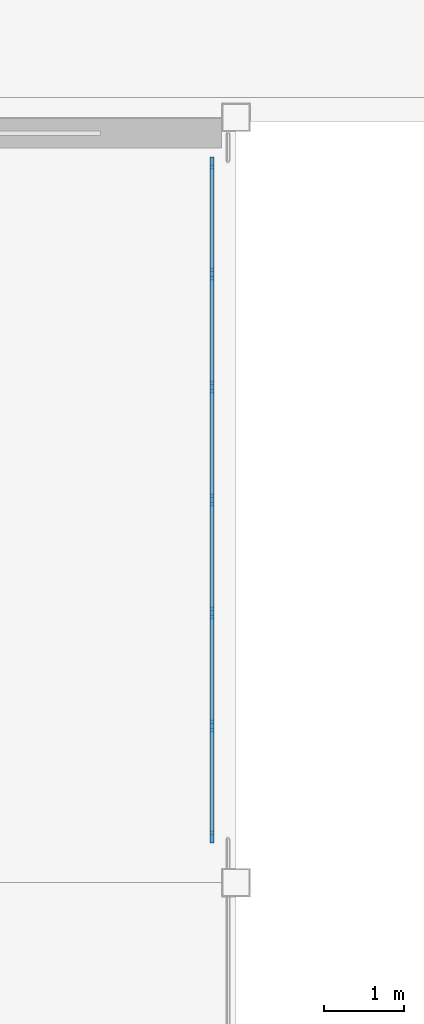
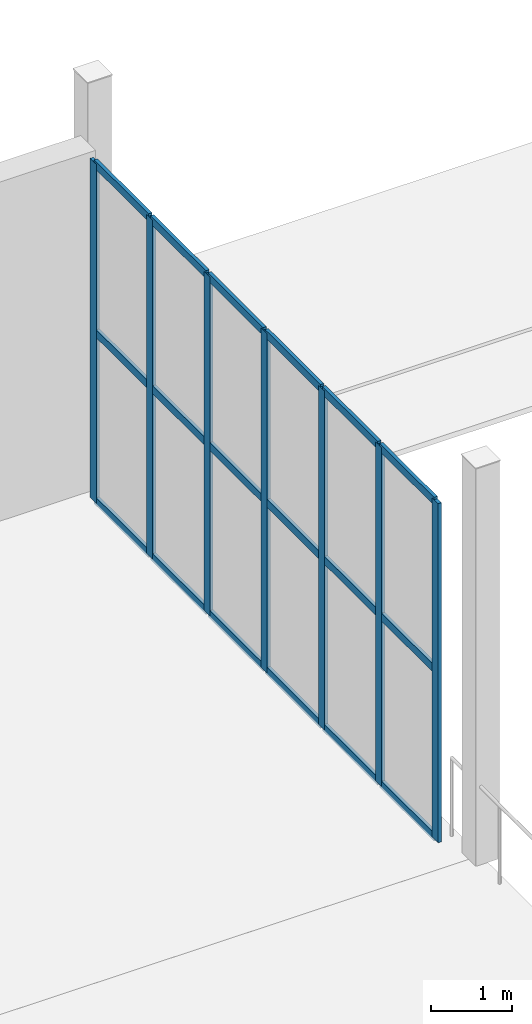
# One storey, part 67 of 139: 25 members, 1 element without a shape of its own.
"""IFC4 building model written with IfcOpenShell, lengths in metres."""

import ifcopenshell
import ifcopenshell.guid

model = None  # the IFC model being written
_history = None  # IfcOwnerHistory: only IFC2X3 demands one
_inside = {}  # id of a spatial element -> (the spatial element, [elements in it])
_under = {}  # id of a project, library or spatial element -> (it, [spatial elements below it])
_declared = {}  # id of a project -> (the project, [libraries it declares])
_typed = {}  # id of a type object -> (the type object, [elements of that type])
_made_of = {}  # id of a material, layer set ... -> (it, [elements and type objects made of it])


def new_model(schema):
    """Start an empty IFC model of exactly this schema.

    Asked for "IFC4X3", IfcOpenShell would pick the latest addendum, in which some entities
    have other attributes; the version numbers below select the first issue.
    IFC2X3 requires an IfcOwnerHistory on every rooted entity: one is made here for all.
    """
    global model, _history
    if schema == "IFC4X3":
        model = ifcopenshell.file(schema_version=(4, 3, 0, 0))
    else:
        model = ifcopenshell.file(schema=schema)
    _inside.clear()
    _under.clear()
    _declared.clear()
    _typed.clear()
    _made_of.clear()
    _history = None
    if model.schema == "IFC2X3":
        org = make("IfcOrganization", Name="unknown")
        user = make(
            "IfcPersonAndOrganization",
            ThePerson=make("IfcPerson", FamilyName="unknown"),
            TheOrganization=org,
        )
        app = make(
            "IfcApplication",
            ApplicationDeveloper=org,
            Version="unknown",
            ApplicationFullName="unknown",
            ApplicationIdentifier="unknown",
        )
        _history = make(
            "IfcOwnerHistory",
            OwningUser=user,
            OwningApplication=app,
            ChangeAction="ADDED",
            CreationDate=0,
        )
    return model


def make(cls, **values):
    """One entity of the class cls with the attributes given. An attribute that is None is left unset."""
    return model.create_entity(
        cls, **{name: value for name, value in values.items() if value is not None}
    )


def rooted(cls, **values):
    """An entity with a GlobalId (a new one), such as an element, a storey or a relation."""
    return make(cls, GlobalId=ifcopenshell.guid.new(), OwnerHistory=_history, **values)


def si_unit(unit_type, name, prefix=None):
    """IfcSIUnit, for example si_unit("LENGTHUNIT", "METRE", prefix="MILLI")."""
    return make("IfcSIUnit", UnitType=unit_type, Prefix=prefix, Name=name)


def assignment(units):
    """IfcUnitAssignment: the units of a project."""
    return None if units is None else make("IfcUnitAssignment", Units=units)


def point(xyz):
    """IfcCartesianPoint."""
    return None if xyz is None else make("IfcCartesianPoint", Coordinates=xyz)


def direction(xyz):
    """IfcDirection."""
    return None if xyz is None else make("IfcDirection", DirectionRatios=xyz)


def frame(location, z_axis=None, x_axis=None):
    """IfcAxis2Placement3D, a coordinate frame: its origin and axes. An axis left out is left unset."""
    return make(
        "IfcAxis2Placement3D",
        Location=point(location),
        Axis=direction(z_axis),
        RefDirection=direction(x_axis),
    )


def frame_2d(location, x_axis=None):
    """IfcAxis2Placement2D, a coordinate frame in the plane: its origin and x axis."""
    return make(
        "IfcAxis2Placement2D", Location=point(location), RefDirection=direction(x_axis)
    )


def origin():
    """The frame at (0, 0, 0) with its axes left unset."""
    return frame((0.0, 0.0, 0.0))


def origin_2d():
    """The frame at (0, 0) in the plane with its x axis left unset."""
    return frame_2d((0.0, 0.0))


def place(relative_to, where):
    """IfcLocalPlacement: puts the frame where relative to a parent placement (None: the world)."""
    return make(
        "IfcLocalPlacement", PlacementRelTo=relative_to, RelativePlacement=where
    )


def context(
    kind, dimensions, precision=None, world=None, true_north=None, identifier=None
):
    """IfcGeometricRepresentationContext, for example the 3D "Model" context."""
    return make(
        "IfcGeometricRepresentationContext",
        ContextIdentifier=identifier,
        ContextType=kind,
        CoordinateSpaceDimension=dimensions,
        Precision=precision,
        WorldCoordinateSystem=world,
        TrueNorth=true_north,
    )


def subcontext(parent, identifier, kind, view, scale=None):
    """IfcGeometricRepresentationSubContext, for example "Body" below "Model"."""
    return make(
        "IfcGeometricRepresentationSubContext",
        ContextIdentifier=identifier,
        ContextType=kind,
        ParentContext=parent,
        TargetScale=scale,
        TargetView=view,
    )


def project(units=None, contexts=None):
    """IfcProject with its units and contexts."""
    return rooted(
        "IfcProject",
        Name="project",
        RepresentationContexts=contexts,
        UnitsInContext=assignment(units),
    )


def spatial(cls, under=None, at=None, **own):
    """A site, building, storey or space (cls), placed at a placement, below another one or the project."""
    s = rooted(cls, ObjectPlacement=at, **own)
    if under is not None:
        _under.setdefault(under.id(), (under, []))[1].append(s)
    return s


def profile(cls, at=None, kind="AREA", **sizes):
    """A parametric profile (cls). Its sizes go by their IFC names, for example OverallWidth=200.0."""
    return make(cls, ProfileType=kind, Position=at, **sizes)


def rectangle(**sizes):
    """IfcRectangleProfileDef."""
    return profile("IfcRectangleProfileDef", **sizes)


def extrude(swept, where, along, depth):
    """IfcExtrudedAreaSolid: the profile swept, set in the frame where, extruded along a direction by depth."""
    return make(
        "IfcExtrudedAreaSolid",
        SweptArea=swept,
        Position=where,
        ExtrudedDirection=direction(along),
        Depth=depth,
    )


def shape(context_of_items, identifier, shape_type, items):
    """IfcShapeRepresentation: the items that make up one representation, for example the "Body"."""
    return make(
        "IfcShapeRepresentation",
        ContextOfItems=context_of_items,
        RepresentationIdentifier=identifier,
        RepresentationType=shape_type,
        Items=items,
    )


def material(Name=None, Category=None):
    """IfcMaterial."""
    return make("IfcMaterial", Name=Name, Category=Category)


def layer(
    of_material, thickness, ventilated=None, Name=None, Category=None, Priority=None
):
    """IfcMaterialLayer: one layer of a wall or slab, of a material (None: an air gap)."""
    return make(
        "IfcMaterialLayer",
        Material=of_material,
        LayerThickness=thickness,
        IsVentilated=ventilated,
        Name=Name,
        Category=Category,
        Priority=Priority,
    )


def layer_set(layers, Name=None):
    """IfcMaterialLayerSet."""
    return make("IfcMaterialLayerSet", MaterialLayers=layers, LayerSetName=Name)


def material_profile(
    of_material, cross_section, Name=None, Category=None, Priority=None
):
    """IfcMaterialProfile: a cross section and its material."""
    return make(
        "IfcMaterialProfile",
        Name=Name,
        Material=of_material,
        Profile=cross_section,
        Priority=Priority,
        Category=Category,
    )


def profile_set(profiles, Name=None, composite=None):
    """IfcMaterialProfileSet."""
    return make(
        "IfcMaterialProfileSet",
        Name=Name,
        MaterialProfiles=profiles,
        CompositeProfile=composite,
    )


def made_of(thing, what):
    """Note that an element or type object is made of a material, layer set ...; save() writes the relation."""
    if what is not None:
        _made_of.setdefault(what.id(), (what, []))[1].append(thing)
    return thing


def type_object(cls, material=None, **own):
    """A type object (cls), such as IfcWallType, which elements share."""
    return made_of(rooted(cls, **own), material)


def element(
    cls,
    number,
    at=None,
    inside=None,
    cuts=None,
    type_object=None,
    material=None,
    context=None,
    identifier="Body",
    shape_type=None,
    held_by="IfcProductDefinitionShape",
    body=None,
    shapes=None,
    **own,
):
    """One element of the class cls, such as IfcWall. Its Tag is "e" and its number.

    at: its placement. inside: the storey or other place that contains it. cuts: it is an
    opening in that element (IfcRelVoidsElement). A single representation is given by context,
    identifier, shape_type and body (its items); several are given by shapes. held_by: the class
    of the entity that holds the representations. save() writes the other relations.
    """
    e = rooted(cls, Tag="e%d" % number, ObjectPlacement=at, **own)
    if body is not None:
        shapes = [shape(context, identifier, shape_type, body)]
    if shapes is not None:
        e.Representation = make(held_by, Representations=shapes)
    if inside is not None:
        _inside.setdefault(inside.id(), (inside, []))[1].append(e)
    if cuts is not None:
        rooted(
            "IfcRelVoidsElement", RelatingBuildingElement=cuts, RelatedOpeningElement=e
        )
    if type_object is not None:
        _typed.setdefault(type_object.id(), (type_object, []))[1].append(e)
    return made_of(e, material)


def aggregate(whole, parts):
    """IfcRelAggregates: a whole, such as a stair, and the parts it consists of."""
    return rooted("IfcRelAggregates", RelatingObject=whole, RelatedObjects=parts)


def save(model, path):
    """Write the relations noted so far, then the file.

    IfcRelAggregates (storeys below a building ...), IfcRelContainedInSpatialStructure (elements
    in a storey), IfcRelDefinesByType, IfcRelAssociatesMaterial and IfcRelDeclares: one each for
    every whole, place, type object, material and project.
    """
    for whole, parts in _under.values():
        aggregate(whole, parts)
    for where, things in _inside.values():
        rooted(
            "IfcRelContainedInSpatialStructure",
            RelatedElements=things,
            RelatingStructure=where,
        )
    for kind, things in _typed.values():
        rooted("IfcRelDefinesByType", RelatedObjects=things, RelatingType=kind)
    for what, things in _made_of.values():
        rooted("IfcRelAssociatesMaterial", RelatedObjects=things, RelatingMaterial=what)
    for by, libraries in _declared.values():
        rooted("IfcRelDeclares", RelatingContext=by, RelatedDefinitions=libraries)
    model.write(path)


model = new_model("IFC4")

# Units and contexts
model_context = context("Model", 3, precision=1e-05, world=origin(), true_north=direction((0.0, 1.0)))
body_context = subcontext(model_context, "Body", "Model", "MODEL_VIEW")
ifc_project = project(units=[si_unit("LENGTHUNIT", "METRE"), si_unit("AREAUNIT", "SQUARE_METRE"), si_unit("VOLUMEUNIT", "CUBIC_METRE"), si_unit("PLANEANGLEUNIT", "RADIAN"), si_unit("MASSUNIT", "GRAM", prefix="KILO")], contexts=[model_context])

# Site, building, storey
site_placement = place(None, origin())
site = spatial("IfcSite", under=ifc_project, at=site_placement, CompositionType="ELEMENT")
building_placement = place(site_placement, origin())
building = spatial("IfcBuilding", under=site, at=building_placement, Name="Yeouljin Market Hall", CompositionType="ELEMENT")
storey_placement = place(building_placement, origin())
storey = spatial("IfcBuildingStorey", under=building, at=storey_placement, Name="L00", CompositionType="ELEMENT", Elevation=0.0)

# Curtain wall, members
ifc_material_1 = material(Name="Thermally Broken Aluminium", Category="aluminium")
ifc_layer = layer(ifc_material_1, 0.14990234375)
ifc_layer_set = layer_set([ifc_layer], Name="Thermally Broken Aluminium")
curtain_wall_type = type_object("IfcCurtainWallType", Name="CW_WingStorefront_System", PredefinedType="USERDEFINED", material=ifc_layer_set)
curtain_wall_placement = place(storey_placement, origin())
curtain_wall = element("IfcCurtainWall", 1, at=curtain_wall_placement, inside=storey, type_object=curtain_wall_type, Name="Curtain wall CW-CRT-L00-18", ObjectType="CURTAIN WALL", PredefinedType="USERDEFINED")
ifc_material_2 = material(Name="Thermally Broken Aluminium", Category="aluminium")
ifc_material_profile_1 = material_profile(ifc_material_2, rectangle(XDim=0.048095703125, YDim=0.14990234375, at=origin_2d()), Name="CW-MULL-48x150")
ifc_profile_set_1 = profile_set([ifc_material_profile_1], Name="Thermally Broken Aluminium")
member_type_1 = type_object("IfcMemberType", Name="CWMullion_48x150", PredefinedType="MULLION", material=ifc_profile_set_1)
member_1_placement = place(storey_placement, frame((131.10009765625, 117.02587890625, 0.0), z_axis=(0.0, 0.0, 1.0), x_axis=(1.0, 0.0, 0.0)))
member_1 = element("IfcMember", 2, at=member_1_placement, type_object=member_type_1, Name="CW-04 mullion 1", PredefinedType="MULLION", context=body_context, shape_type="SweptSolid", body=[
    extrude(rectangle(XDim=0.048095703125, YDim=0.14990234375, at=origin_2d()), origin(), (0.0, 0.0, 1.0), 5.1201171875),
])
member_2_placement = place(storey_placement, frame((131.10009765625, 115.63330078125, 0.0), z_axis=(0.0, 0.0, 1.0), x_axis=(1.0, 0.0, 0.0)))
member_2 = element("IfcMember", 3, at=member_2_placement, type_object=member_type_1, Name="CW-04 mullion 2", PredefinedType="MULLION", context=body_context, shape_type="SweptSolid", body=[
    extrude(rectangle(XDim=0.048095703125, YDim=0.14990234375, at=origin_2d()), origin(), (0.0, 0.0, 1.0), 5.1201171875),
])
member_3_placement = place(storey_placement, frame((131.10009765625, 114.216552734375, 0.0), z_axis=(0.0, 0.0, 1.0), x_axis=(1.0, 0.0, 0.0)))
member_3 = element("IfcMember", 4, at=member_3_placement, type_object=member_type_1, Name="CW-04 mullion 3", PredefinedType="MULLION", context=body_context, shape_type="SweptSolid", body=[
    extrude(rectangle(XDim=0.048095703125, YDim=0.14990234375, at=origin_2d()), origin(), (0.0, 0.0, 1.0), 5.1201171875),
])
member_4_placement = place(storey_placement, frame((131.10009765625, 112.800048828125, 0.0), z_axis=(0.0, 0.0, 1.0), x_axis=(1.0, 0.0, 0.0)))
member_4 = element("IfcMember", 5, at=member_4_placement, type_object=member_type_1, Name="CW-04 mullion 4", PredefinedType="MULLION", context=body_context, shape_type="SweptSolid", body=[
    extrude(rectangle(XDim=0.048095703125, YDim=0.14990234375, at=origin_2d()), origin(), (0.0, 0.0, 1.0), 5.1201171875),
])
member_5_placement = place(storey_placement, frame((131.10009765625, 111.38330078125, 0.0), z_axis=(0.0, 0.0, 1.0), x_axis=(1.0, 0.0, 0.0)))
member_5 = element("IfcMember", 6, at=member_5_placement, type_object=member_type_1, Name="CW-04 mullion 5", PredefinedType="MULLION", context=body_context, shape_type="SweptSolid", body=[
    extrude(rectangle(XDim=0.048095703125, YDim=0.14990234375, at=origin_2d()), origin(), (0.0, 0.0, 1.0), 5.1201171875),
])
member_6_placement = place(storey_placement, frame((131.10009765625, 109.966552734375, 0.0), z_axis=(0.0, 0.0, 1.0), x_axis=(1.0, 0.0, 0.0)))
member_6 = element("IfcMember", 7, at=member_6_placement, type_object=member_type_1, Name="CW-04 mullion 6", PredefinedType="MULLION", context=body_context, shape_type="SweptSolid", body=[
    extrude(rectangle(XDim=0.048095703125, YDim=0.14990234375, at=origin_2d()), origin(), (0.0, 0.0, 1.0), 5.1201171875),
])
member_7_placement = place(storey_placement, frame((131.10009765625, 108.573974609375, 0.0), z_axis=(0.0, 0.0, 1.0), x_axis=(1.0, 0.0, 0.0)))
member_7 = element("IfcMember", 8, at=member_7_placement, type_object=member_type_1, Name="CW-04 mullion 7", PredefinedType="MULLION", context=body_context, shape_type="SweptSolid", body=[
    extrude(rectangle(XDim=0.048095703125, YDim=0.14990234375, at=origin_2d()), origin(), (0.0, 0.0, 1.0), 5.1201171875),
])
ifc_material_3 = material(Name="Thermally Broken Aluminium", Category="aluminium")
ifc_material_profile_2 = material_profile(ifc_material_3, rectangle(XDim=0.048095703125, YDim=0.1201171875, at=origin_2d()), Name="CW-TRAN-48x120")
ifc_profile_set_2 = profile_set([ifc_material_profile_2], Name="Thermally Broken Aluminium")
member_type_2 = type_object("IfcMemberType", Name="CWTransom_48x120", PredefinedType="USERDEFINED", material=ifc_profile_set_2)
member_8_placement = place(storey_placement, frame((131.10009765625, 117.001953125, 0.02392578125), z_axis=(0.0, -1.0, 0.0), x_axis=(1.0, 0.0, 0.0)))
member_8 = element("IfcMember", 9, at=member_8_placement, type_object=member_type_2, Name="CW-04 transom 1.1", ObjectType="TRANSOM", PredefinedType="USERDEFINED", context=body_context, shape_type="SweptSolid", body=[
    extrude(rectangle(XDim=0.048095703125, YDim=0.1201171875, at=origin_2d()), origin(), (0.0, 0.0, 1.0), 1.3447265625),
])
member_9_placement = place(storey_placement, frame((131.10009765625, 117.001953125, 2.56005859375), z_axis=(0.0, -1.0, 0.0), x_axis=(1.0, 0.0, 0.0)))
member_9 = element("IfcMember", 10, at=member_9_placement, type_object=member_type_2, Name="CW-04 transom 1.2", ObjectType="TRANSOM", PredefinedType="USERDEFINED", context=body_context, shape_type="SweptSolid", body=[
    extrude(rectangle(XDim=0.048095703125, YDim=0.1201171875, at=origin_2d()), origin(), (0.0, 0.0, 1.0), 1.3447265625),
])
member_10_placement = place(storey_placement, frame((131.10009765625, 117.001953125, 5.095947265625), z_axis=(0.0, -1.0, 0.0), x_axis=(1.0, 0.0, 0.0)))
member_10 = element("IfcMember", 11, at=member_10_placement, type_object=member_type_2, Name="CW-04 transom 1.3", ObjectType="TRANSOM", PredefinedType="USERDEFINED", context=body_context, shape_type="SweptSolid", body=[
    extrude(rectangle(XDim=0.048095703125, YDim=0.1201171875, at=origin_2d()), origin(), (0.0, 0.0, 1.0), 1.3447265625),
])
member_11_placement = place(storey_placement, frame((131.10009765625, 115.609375, 0.02392578125), z_axis=(0.0, -1.0, 0.0), x_axis=(1.0, 0.0, 0.0)))
member_11 = element("IfcMember", 12, at=member_11_placement, type_object=member_type_2, Name="CW-04 transom 2.1", ObjectType="TRANSOM", PredefinedType="USERDEFINED", context=body_context, shape_type="SweptSolid", body=[
    extrude(rectangle(XDim=0.048095703125, YDim=0.1201171875, at=origin_2d()), origin(), (0.0, 0.0, 1.0), 1.36865234375),
])
member_12_placement = place(storey_placement, frame((131.10009765625, 115.609375, 2.56005859375), z_axis=(0.0, -1.0, 0.0), x_axis=(1.0, 0.0, 0.0)))
member_12 = element("IfcMember", 13, at=member_12_placement, type_object=member_type_2, Name="CW-04 transom 2.2", ObjectType="TRANSOM", PredefinedType="USERDEFINED", context=body_context, shape_type="SweptSolid", body=[
    extrude(rectangle(XDim=0.048095703125, YDim=0.1201171875, at=origin_2d()), origin(), (0.0, 0.0, 1.0), 1.36865234375),
])
member_13_placement = place(storey_placement, frame((131.10009765625, 115.609375, 5.095947265625), z_axis=(0.0, -1.0, 0.0), x_axis=(1.0, 0.0, 0.0)))
member_13 = element("IfcMember", 14, at=member_13_placement, type_object=member_type_2, Name="CW-04 transom 2.3", ObjectType="TRANSOM", PredefinedType="USERDEFINED", context=body_context, shape_type="SweptSolid", body=[
    extrude(rectangle(XDim=0.048095703125, YDim=0.1201171875, at=origin_2d()), origin(), (0.0, 0.0, 1.0), 1.36865234375),
])
member_14_placement = place(storey_placement, frame((131.10009765625, 114.192626953125, 0.02392578125), z_axis=(0.0, -1.0, 0.0), x_axis=(1.0, 0.0, 0.0)))
member_14 = element("IfcMember", 15, at=member_14_placement, type_object=member_type_2, Name="CW-04 transom 3.1", ObjectType="TRANSOM", PredefinedType="USERDEFINED", context=body_context, shape_type="SweptSolid", body=[
    extrude(rectangle(XDim=0.048095703125, YDim=0.1201171875, at=origin_2d()), origin(), (0.0, 0.0, 1.0), 1.36865234375),
])
member_15_placement = place(storey_placement, frame((131.10009765625, 114.192626953125, 2.56005859375), z_axis=(0.0, -1.0, 0.0), x_axis=(1.0, 0.0, 0.0)))
member_15 = element("IfcMember", 16, at=member_15_placement, type_object=member_type_2, Name="CW-04 transom 3.2", ObjectType="TRANSOM", PredefinedType="USERDEFINED", context=body_context, shape_type="SweptSolid", body=[
    extrude(rectangle(XDim=0.048095703125, YDim=0.1201171875, at=origin_2d()), origin(), (0.0, 0.0, 1.0), 1.36865234375),
])
member_16_placement = place(storey_placement, frame((131.10009765625, 114.192626953125, 5.095947265625), z_axis=(0.0, -1.0, 0.0), x_axis=(1.0, 0.0, 0.0)))
member_16 = element("IfcMember", 17, at=member_16_placement, type_object=member_type_2, Name="CW-04 transom 3.3", ObjectType="TRANSOM", PredefinedType="USERDEFINED", context=body_context, shape_type="SweptSolid", body=[
    extrude(rectangle(XDim=0.048095703125, YDim=0.1201171875, at=origin_2d()), origin(), (0.0, 0.0, 1.0), 1.36865234375),
])
member_17_placement = place(storey_placement, frame((131.10009765625, 112.77587890625, 0.02392578125), z_axis=(0.0, -1.0, 0.0), x_axis=(1.0, 0.0, 0.0)))
member_17 = element("IfcMember", 18, at=member_17_placement, type_object=member_type_2, Name="CW-04 transom 4.1", ObjectType="TRANSOM", PredefinedType="USERDEFINED", context=body_context, shape_type="SweptSolid", body=[
    extrude(rectangle(XDim=0.048095703125, YDim=0.1201171875, at=origin_2d()), origin(), (0.0, 0.0, 1.0), 1.36865234375),
])
member_18_placement = place(storey_placement, frame((131.10009765625, 112.77587890625, 2.56005859375), z_axis=(0.0, -1.0, 0.0), x_axis=(1.0, 0.0, 0.0)))
member_18 = element("IfcMember", 19, at=member_18_placement, type_object=member_type_2, Name="CW-04 transom 4.2", ObjectType="TRANSOM", PredefinedType="USERDEFINED", context=body_context, shape_type="SweptSolid", body=[
    extrude(rectangle(XDim=0.048095703125, YDim=0.1201171875, at=origin_2d()), origin(), (0.0, 0.0, 1.0), 1.36865234375),
])
member_19_placement = place(storey_placement, frame((131.10009765625, 112.77587890625, 5.095947265625), z_axis=(0.0, -1.0, 0.0), x_axis=(1.0, 0.0, 0.0)))
member_19 = element("IfcMember", 20, at=member_19_placement, type_object=member_type_2, Name="CW-04 transom 4.3", ObjectType="TRANSOM", PredefinedType="USERDEFINED", context=body_context, shape_type="SweptSolid", body=[
    extrude(rectangle(XDim=0.048095703125, YDim=0.1201171875, at=origin_2d()), origin(), (0.0, 0.0, 1.0), 1.36865234375),
])
member_20_placement = place(storey_placement, frame((131.10009765625, 111.359375, 0.02392578125), z_axis=(0.0, -1.0, 0.0), x_axis=(1.0, 0.0, 0.0)))
member_20 = element("IfcMember", 21, at=member_20_placement, type_object=member_type_2, Name="CW-04 transom 5.1", ObjectType="TRANSOM", PredefinedType="USERDEFINED", context=body_context, shape_type="SweptSolid", body=[
    extrude(rectangle(XDim=0.048095703125, YDim=0.1201171875, at=origin_2d()), origin(), (0.0, 0.0, 1.0), 1.36865234375),
])
member_21_placement = place(storey_placement, frame((131.10009765625, 111.359375, 2.56005859375), z_axis=(0.0, -1.0, 0.0), x_axis=(1.0, 0.0, 0.0)))
member_21 = element("IfcMember", 22, at=member_21_placement, type_object=member_type_2, Name="CW-04 transom 5.2", ObjectType="TRANSOM", PredefinedType="USERDEFINED", context=body_context, shape_type="SweptSolid", body=[
    extrude(rectangle(XDim=0.048095703125, YDim=0.1201171875, at=origin_2d()), origin(), (0.0, 0.0, 1.0), 1.36865234375),
])
member_22_placement = place(storey_placement, frame((131.10009765625, 111.359375, 5.095947265625), z_axis=(0.0, -1.0, 0.0), x_axis=(1.0, 0.0, 0.0)))
member_22 = element("IfcMember", 23, at=member_22_placement, type_object=member_type_2, Name="CW-04 transom 5.3", ObjectType="TRANSOM", PredefinedType="USERDEFINED", context=body_context, shape_type="SweptSolid", body=[
    extrude(rectangle(XDim=0.048095703125, YDim=0.1201171875, at=origin_2d()), origin(), (0.0, 0.0, 1.0), 1.36865234375),
])
member_23_placement = place(storey_placement, frame((131.10009765625, 109.942626953125, 0.02392578125), z_axis=(0.0, -1.0, 0.0), x_axis=(1.0, 0.0, 0.0)))
member_23 = element("IfcMember", 24, at=member_23_placement, type_object=member_type_2, Name="CW-04 transom 6.1", ObjectType="TRANSOM", PredefinedType="USERDEFINED", context=body_context, shape_type="SweptSolid", body=[
    extrude(rectangle(XDim=0.048095703125, YDim=0.1201171875, at=origin_2d()), origin(), (0.0, 0.0, 1.0), 1.3447265625),
])
member_24_placement = place(storey_placement, frame((131.10009765625, 109.942626953125, 2.56005859375), z_axis=(0.0, -1.0, 0.0), x_axis=(1.0, 0.0, 0.0)))
member_24 = element("IfcMember", 25, at=member_24_placement, type_object=member_type_2, Name="CW-04 transom 6.2", ObjectType="TRANSOM", PredefinedType="USERDEFINED", context=body_context, shape_type="SweptSolid", body=[
    extrude(rectangle(XDim=0.048095703125, YDim=0.1201171875, at=origin_2d()), origin(), (0.0, 0.0, 1.0), 1.3447265625),
])
member_25_placement = place(storey_placement, frame((131.10009765625, 109.942626953125, 5.095947265625), z_axis=(0.0, -1.0, 0.0), x_axis=(1.0, 0.0, 0.0)))
member_25 = element("IfcMember", 26, at=member_25_placement, type_object=member_type_2, Name="CW-04 transom 6.3", ObjectType="TRANSOM", PredefinedType="USERDEFINED", context=body_context, shape_type="SweptSolid", body=[
    extrude(rectangle(XDim=0.048095703125, YDim=0.1201171875, at=origin_2d()), origin(), (0.0, 0.0, 1.0), 1.3447265625),
])
aggregate(curtain_wall, [member_1, member_2, member_3, member_4, member_5, member_6, member_7, member_8, member_9, member_10, member_11, member_12, member_13, member_14, member_15, member_16, member_17, member_18, member_19, member_20, member_21, member_22, member_23, member_24, member_25])

save(model, "model.ifc")
